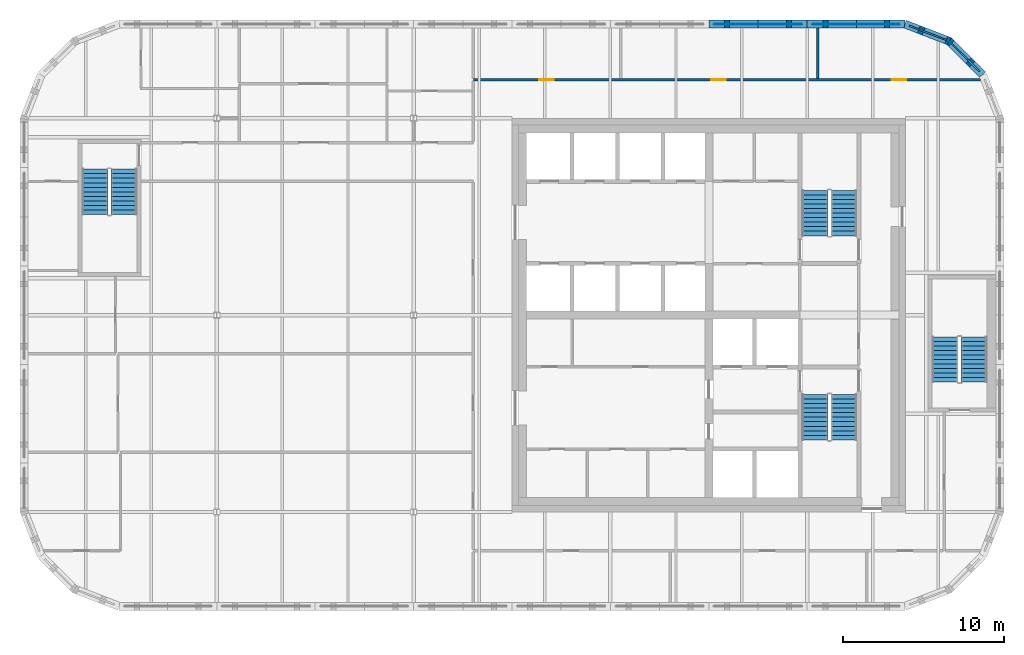
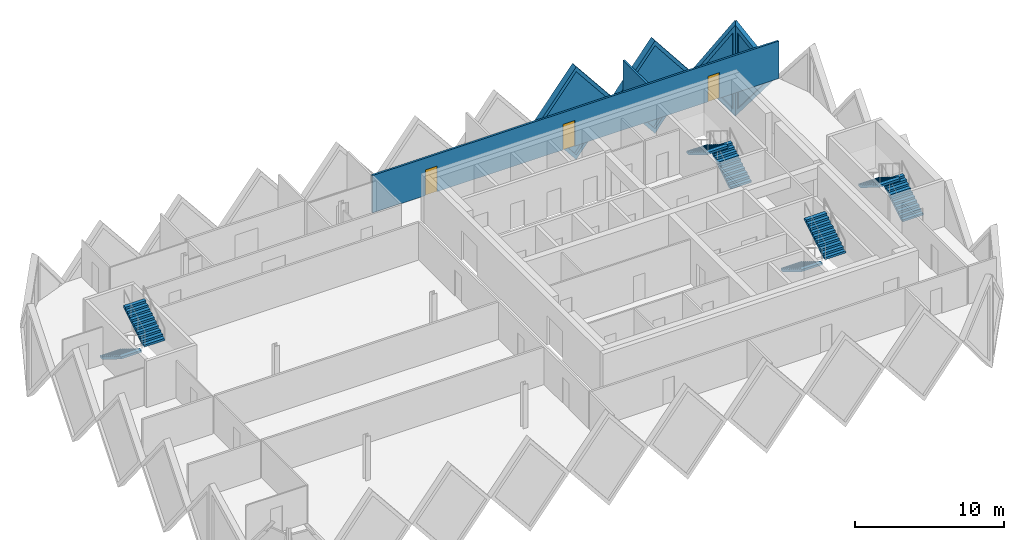
# One storey, part 10 of 11: 8 stair flights, 6 walls, 4 plates, 3 doors, 7 openings, 4 elements without a shape of their own.
"""IFC4 building model written with IfcOpenShell, lengths in metres."""

from ifc_helpers import new_model, si_unit, direction, frame, frame_2d, origin, place, context, subcontext, project, spatial, polyline, rectangle, outline, extrude, faceted_brep, source, transform, mapped, material, layer, layer_set, type_object, element, fill, aggregate, save


model = new_model("IFC4")

# Units and contexts
model_context = context("Model", 3, precision=1e-05, world=origin(), true_north=direction((0.0, 1.0)))
body_context = subcontext(model_context, "Body", "Model", "MODEL_VIEW")
ifc_project = project(units=[si_unit("LENGTHUNIT", "METRE"), si_unit("AREAUNIT", "SQUARE_METRE"), si_unit("VOLUMEUNIT", "CUBIC_METRE"), si_unit("PLANEANGLEUNIT", "RADIAN"), si_unit("MASSUNIT", "GRAM", prefix="KILO")], contexts=[model_context])

# Site, building, storey
site_placement = place(None, origin())
site = spatial("IfcSite", under=ifc_project, at=site_placement, CompositionType="ELEMENT")
building_placement = place(site_placement, origin())
building = spatial("IfcBuilding", under=site, at=building_placement, Name="Tessera Gate Towers", CompositionType="ELEMENT")
storey_placement = place(building_placement, frame((0.0, 0.0, 240.699951171875)))
storey = spatial("IfcBuildingStorey", under=building, at=storey_placement, Name="L60", CompositionType="ELEMENT", Elevation=240.699951171875)

# Wall, openings, doors
ifc_material_1 = material(Name="Gypsum board on steel studs, mineral wool", Category="steel")
ifc_layer_1 = layer(ifc_material_1, 0.14990234375)
ifc_layer_set_1 = layer_set([ifc_layer_1], Name="CORRIDOR WALL 150")
wall_type_1 = type_object("IfcWallType", Name="CORRIDOR WALL 150", PredefinedType="PARTITIONING", material=ifc_layer_set_1)
wall_1_placement = place(storey_placement, frame((28.10009765625, 51.199951171875, 0.0), z_axis=(0.0, 0.0, 1.0), x_axis=(1.0, 0.0, 0.0)))
wall_1 = element("IfcWall", 1, at=wall_1_placement, inside=storey, type_object=wall_type_1, Name="T1-L60-PW-033", PredefinedType="PARTITIONING", context=body_context, shape_type="SweptSolid", body=[
    extrude(rectangle(XDim=31.438232421875, YDim=0.14990234375, at=frame_2d((15.71923828125, 0.0))), origin(), (0.0, 0.0, 1.0), 3.067138671875),
])
shared_shape_1 = source(origin(), body_context, "Body", "SweptSolid", [
    extrude(rectangle(XDim=0.89990234375, YDim=2.10009765625, at=frame_2d((0.449951171875, 1.050048828125))), frame((0.0, 0.0849609375, 0.0), z_axis=(0.0, -1.0, 0.0), x_axis=(1.0, 0.0, 0.0)), (0.0, 0.0, 1.0), 0.169921875),
])
opening_1_placement = place(wall_1_placement, frame((4.10009765625, 0.0, 0.0)))
opening_1 = element("IfcOpeningElement", 2, at=opening_1_placement, cuts=wall_1, Name="Opening D890FD60-A21-07", PredefinedType="OPENING", context=body_context, shape_type="MappedRepresentation", body=[
    mapped(shared_shape_1, transform((0.0, 0.0, 0.0), scale=1.0)),
])
opening_2_placement = place(wall_1_placement, frame((25.950927734375, 0.0, 0.0)))
opening_2 = element("IfcOpeningElement", 3, at=opening_2_placement, cuts=wall_1, Name="Opening D890FD60-A21-08", PredefinedType="OPENING", context=body_context, shape_type="MappedRepresentation", body=[
    mapped(shared_shape_1, transform((0.0, 0.0, 0.0), scale=1.0)),
])
opening_3_placement = place(wall_1_placement, frame((14.75, 0.0, 0.0)))
opening_3 = element("IfcOpeningElement", 4, at=opening_3_placement, cuts=wall_1, Name="Opening D890FD60-A21-11", PredefinedType="OPENING", context=body_context, shape_type="MappedRepresentation", body=[
    mapped(shared_shape_1, transform((0.0, 0.0, 0.0), scale=1.0)),
])
ifc_material_2 = material(Name="Timber door leaf in steel frame", Category="steel")
door_type = type_object("IfcDoorType", Name="CORRIDOR DOOR 900 FD60", OperationType="NOTDEFINED", PredefinedType="DOOR", material=ifc_material_2)
shared_shape_2 = source(origin(), body_context, "Body", "SweptSolid", [
    extrude(rectangle(XDim=0.89990234375, YDim=2.10009765625, at=frame_2d((0.449951171875, 1.050048828125))), frame((0.0, 0.02490234375, 0.0), z_axis=(0.0, -1.0, 0.0), x_axis=(1.0, 0.0, 0.0)), (0.0, 0.0, 1.0), 0.050048828125),
])
door_1_placement = place(opening_1_placement, origin())
door_1 = element("IfcDoor", 5, at=door_1_placement, inside=storey, type_object=door_type, Name="T1-L60-PD-011", OperationType="SINGLE_SWING_LEFT", OverallHeight=2.10009765625, OverallWidth=0.89990234375, PredefinedType="DOOR", context=body_context, shape_type="MappedRepresentation", body=[
    mapped(shared_shape_2, transform((0.0, 0.0, 0.0), scale=1.0)),
])
fill(opening_1, door_1)
door_2_placement = place(opening_2_placement, origin())
door_2 = element("IfcDoor", 6, at=door_2_placement, inside=storey, type_object=door_type, Name="T1-L60-PD-015", OperationType="SINGLE_SWING_LEFT", OverallHeight=2.10009765625, OverallWidth=0.89990234375, PredefinedType="DOOR", context=body_context, shape_type="MappedRepresentation", body=[
    mapped(shared_shape_2, transform((0.0, 0.0, 0.0), scale=1.0)),
])
fill(opening_2, door_2)
door_3_placement = place(opening_3_placement, origin())
door_3 = element("IfcDoor", 7, at=door_3_placement, inside=storey, type_object=door_type, Name="T1-L60-PD-019", OperationType="SINGLE_SWING_LEFT", OverallHeight=2.10009765625, OverallWidth=0.89990234375, PredefinedType="DOOR", context=body_context, shape_type="MappedRepresentation", body=[
    mapped(shared_shape_2, transform((0.0, 0.0, 0.0), scale=1.0)),
])
fill(opening_3, door_3)

# Wall
ifc_material_3 = material(Name="Gypsum board on steel studs, mineral wool", Category="steel")
ifc_layer_2 = layer(ifc_material_3, 0.14990234375)
ifc_layer_set_2 = layer_set([ifc_layer_2], Name="TENANCY WALL 150")
wall_type_2 = type_object("IfcWallType", Name="TENANCY WALL 150", PredefinedType="PARTITIONING", material=ifc_layer_set_2)
wall_2_placement = place(storey_placement, frame((49.449951171875, 51.27587890625, 0.0), z_axis=(0.0, 0.0, 1.0), x_axis=(0.0, 1.0, 0.0)))
element("IfcWall", 8, at=wall_2_placement, inside=storey, type_object=wall_type_2, Name="T1-L60-PW-036", PredefinedType="PARTITIONING", context=body_context, shape_type="SweptSolid", body=[
    extrude(rectangle(XDim=3.1240234375, YDim=0.14990234375, at=frame_2d((1.56201171875, 0.0))), origin(), (0.0, 0.0, 1.0), 3.067138671875),
])

# Wall, opening, plate
ifc_material_4 = material(Name="Precast concrete C60/75 white", Category="concrete")
ifc_layer_3 = layer(ifc_material_4, 0.5)
ifc_layer_set_3 = layer_set([ifc_layer_3], Name="TS1 tessera")
wall_type_3 = type_object("IfcWallType", Name="TS1 tessera", PredefinedType="SOLIDWALL", material=ifc_layer_set_3)
shared_shape_3 = source(origin(), body_context, "Body", "Brep", [
    faceted_brep([(3.00341796875, -0.25, 0.0), (6.053466796875, -0.25, 3.800048828125), (3.00341796875, -0.25, 7.60009765625), (0.0, -0.25, 3.800048828125), (0.046630859375, 0.25, 3.85888671875), (3.00341796875, 0.25, 7.60009765625), (6.053466796875, 0.25, 3.800048828125), (3.00341796875, 0.25, 0.0), (0.046630859375, 0.25, 3.7412109375), (0.0, 0.0, 3.800048828125)], [[[0, 1, 2, 3]], [[4, 5, 6, 7, 8]], [[7, 6, 1, 0]], [[6, 5, 2, 1]], [[5, 4, 9, 3, 2]], [[8, 7, 0, 3, 9]], [[8, 9, 4]]]),
])
wall_3_placement = place(storey_placement, frame((54.853515625, 54.64990234375, -3.800048828125), z_axis=(0.0, 0.0, 1.0), x_axis=(-1.0, 0.0, 0.0)))
wall_3 = element("IfcWall", 9, at=wall_3_placement, inside=storey, type_object=wall_type_3, Name="Precast tessera T1 TS1-1046", PredefinedType="SOLIDWALL", context=body_context, shape_type="MappedRepresentation", body=[
    mapped(shared_shape_3, transform((0.0, 0.0, 0.0), scale=1.0)),
])
shared_shape_4 = source(origin(), body_context, "Body", "SweptSolid", [
    extrude(outline(polyline([(3.0048828125, 0.4013671875), (5.73291015625, 3.800048828125), (3.0048828125, 7.19873046875), (0.318603515625, 3.800048828125), (3.0048828125, 0.4013671875)])), frame((0.0, 0.260009765625, 0.0), z_axis=(0.0, -1.0, 0.0), x_axis=(1.0, 0.0, 0.0)), (0.0, 0.0, 1.0), 0.52001953125),
])
opening_4_placement = place(wall_3_placement, origin())
opening_4 = element("IfcOpeningElement", 10, at=opening_4_placement, cuts=wall_3, Name="Opening T1-PL2-2138", PredefinedType="OPENING", context=body_context, shape_type="MappedRepresentation", body=[
    mapped(shared_shape_4, transform((0.0, 0.0, 0.0), scale=1.0)),
])
ifc_material_5 = material(Name="Low-e laminated glass", Category="glass")
ifc_layer_4 = layer(ifc_material_5, 0.06005859375)
ifc_layer_set_4 = layer_set([ifc_layer_4], Name="PL2 rhombic pane")
plate_type = type_object("IfcPlateType", Name="PL2 rhombic pane", PredefinedType="SHEET", material=ifc_layer_set_4)
shared_shape_5 = source(origin(), body_context, "Body", "SweptSolid", [
    extrude(outline(polyline([(3.0048828125, 0.4013671875), (5.73291015625, 3.800048828125), (3.0048828125, 7.19873046875), (0.318603515625, 3.800048828125), (3.0048828125, 0.4013671875)])), frame((0.0, 0.030029296875, 0.0), z_axis=(0.0, -1.0, 0.0), x_axis=(1.0, 0.0, 0.0)), (0.0, 0.0, 1.0), 0.06005859375),
])
plate_1_placement = place(opening_4_placement, origin())
plate_1 = element("IfcPlate", 11, at=plate_1_placement, inside=storey, type_object=plate_type, Name="Glass pane T1 PL2-2138", PredefinedType="SHEET", context=body_context, shape_type="MappedRepresentation", body=[
    mapped(shared_shape_5, transform((0.0, 0.0, 0.0), scale=1.0)),
])
fill(opening_4, plate_1)

shared_shape_6 = source(origin(), body_context, "Body", "SweptSolid", [
    extrude(outline(polyline([(3.050048828125, 0.0), (6.10009765625, 3.800048828125), (3.050048828125, 7.60009765625), (0.0, 3.800048828125), (3.050048828125, 0.0)])), frame((0.0, 0.25, 0.0), z_axis=(0.0, -1.0, 0.0), x_axis=(1.0, 0.0, 0.0)), (0.0, 0.0, 1.0), 0.5),
])
wall_4_placement = place(storey_placement, frame((48.800048828125, 54.64990234375, -3.800048828125), z_axis=(0.0, 0.0, 1.0), x_axis=(-1.0, 0.0, 0.0)))
wall_4 = element("IfcWall", 12, at=wall_4_placement, inside=storey, type_object=wall_type_3, Name="Precast tessera T1 TS1-1047", PredefinedType="SOLIDWALL", context=body_context, shape_type="MappedRepresentation", body=[
    mapped(shared_shape_6, transform((0.0, 0.0, 0.0), scale=1.0)),
])
shared_shape_7 = source(origin(), body_context, "Body", "SweptSolid", [
    extrude(outline(polyline([(3.050048828125, 0.3994140625), (5.779541015625, 3.800048828125), (3.050048828125, 7.20068359375), (0.320556640625, 3.800048828125), (3.050048828125, 0.3994140625)])), frame((0.0, 0.260009765625, 0.0), z_axis=(0.0, -1.0, 0.0), x_axis=(1.0, 0.0, 0.0)), (0.0, 0.0, 1.0), 0.52001953125),
])
opening_5_placement = place(wall_4_placement, origin())
opening_5 = element("IfcOpeningElement", 13, at=opening_5_placement, cuts=wall_4, Name="Opening T1-PL2-2139", PredefinedType="OPENING", context=body_context, shape_type="MappedRepresentation", body=[
    mapped(shared_shape_7, transform((0.0, 0.0, 0.0), scale=1.0)),
])
shared_shape_8 = source(origin(), body_context, "Body", "SweptSolid", [
    extrude(outline(polyline([(3.050048828125, 0.3994140625), (5.779541015625, 3.800048828125), (3.050048828125, 7.20068359375), (0.320556640625, 3.800048828125), (3.050048828125, 0.3994140625)])), frame((0.0, 0.030029296875, 0.0), z_axis=(0.0, -1.0, 0.0), x_axis=(1.0, 0.0, 0.0)), (0.0, 0.0, 1.0), 0.06005859375),
])
plate_2_placement = place(opening_5_placement, origin())
plate_2 = element("IfcPlate", 14, at=plate_2_placement, inside=storey, type_object=plate_type, Name="Glass pane T1 PL2-2139", PredefinedType="SHEET", context=body_context, shape_type="MappedRepresentation", body=[
    mapped(shared_shape_8, transform((0.0, 0.0, 0.0), scale=1.0)),
])
fill(opening_5, plate_2)

ifc_material_6 = material(Name="Precast concrete C60/75 white", Category="concrete")
ifc_layer_5 = layer(ifc_material_6, 0.5)
ifc_layer_set_5 = layer_set([ifc_layer_5], Name="TS3 corner tessera")
wall_type_4 = type_object("IfcWallType", Name="TS3 corner tessera", PredefinedType="SOLIDWALL", material=ifc_layer_set_5)
shared_shape_9 = source(origin(), body_context, "Body", "Brep", [
    faceted_brep([(2.944091796875, -0.25, 0.0), (2.9970703125, -0.25, 0.068115234375), (2.9970703125, -0.25, 7.531982421875), (2.944091796875, -0.25, 7.60009765625), (0.0, -0.25, 3.800048828125), (0.052978515625, 0.25, 3.868408203125), (2.89111328125, 0.25, 7.531982421875), (2.89111328125, 0.25, 0.068115234375), (0.052978515625, 0.25, 3.731689453125), (2.944091796875, 0.000244140625, 0.0), (2.944091796875, 0.000244140625, 7.60009765625), (0.0, 0.0, 3.800048828125)], [[[0, 1, 2, 3, 4]], [[5, 6, 7, 8]], [[1, 0, 9]], [[10, 3, 2]], [[6, 5, 11, 4, 3, 10]], [[8, 7, 9, 0, 4, 11]], [[8, 11, 5]], [[1, 9, 7, 6, 10, 2]]]),
])
wall_5_placement = place(storey_placement, frame((59.68798828125, 51.50634765625, -3.800048828125), z_axis=(0.0, 0.0, 1.0), x_axis=(-0.707106781187, 0.707106781187, 0.0)))
wall_5 = element("IfcWall", 15, at=wall_5_placement, inside=storey, type_object=wall_type_4, Name="Precast corner tessera T1 TS3-1391", PredefinedType="SOLIDWALL", context=body_context, shape_type="MappedRepresentation", body=[
    mapped(shared_shape_9, transform((0.0, 0.0, 0.0), scale=1.0)),
])
shared_shape_10 = source(origin(), body_context, "Body", "SweptSolid", [
    extrude(outline(polyline([(2.744140625, 6.933837890625), (0.316162109375, 3.800048828125), (2.744140625, 0.66650390625), (2.744140625, 6.933837890625)])), frame((0.0, 0.260009765625, 0.0), z_axis=(0.0, -1.0, 0.0), x_axis=(1.0, 0.0, 0.0)), (0.0, 0.0, 1.0), 0.52001953125),
])
opening_6_placement = place(wall_5_placement, origin())
opening_6 = element("IfcOpeningElement", 16, at=opening_6_placement, cuts=wall_5, Name="Opening T1-PL2-2136", PredefinedType="OPENING", context=body_context, shape_type="MappedRepresentation", body=[
    mapped(shared_shape_10, transform((0.0, 0.0, 0.0), scale=1.0)),
])
shared_shape_11 = source(origin(), body_context, "Body", "SweptSolid", [
    extrude(outline(polyline([(2.744140625, 6.933837890625), (0.316162109375, 3.800048828125), (2.744140625, 0.66650390625), (2.744140625, 6.933837890625)])), frame((0.0, 0.030029296875, 0.0), z_axis=(0.0, -1.0, 0.0), x_axis=(1.0, 0.0, 0.0)), (0.0, 0.0, 1.0), 0.06005859375),
])
plate_3_placement = place(opening_6_placement, origin())
plate_3 = element("IfcPlate", 17, at=plate_3_placement, inside=storey, type_object=plate_type, Name="Glass pane T1 PL2-2136", PredefinedType="SHEET", context=body_context, shape_type="MappedRepresentation", body=[
    mapped(shared_shape_11, transform((0.0, 0.0, 0.0), scale=1.0)),
])
fill(opening_6, plate_3)

shared_shape_12 = source(origin(), body_context, "Body", "Brep", [
    faceted_brep([(0.052978515625, -0.25, 0.0), (3.00341796875, -0.25, 3.800048828125), (0.052978515625, -0.25, 7.60009765625), (0.0, -0.25, 7.53173828125), (0.0, -0.25, 0.068359375), (0.10595703125, 0.25, 7.531982421875), (2.95703125, 0.25, 3.85986328125), (2.95703125, 0.25, 3.740234375), (0.10595703125, 0.25, 0.068115234375), (3.00341796875, 0.00048828125, 3.800048828125), (0.052978515625, 0.0, 0.0), (0.052978515625, 0.0, 7.60009765625)], [[[0, 1, 2, 3, 4]], [[5, 6, 7, 8]], [[8, 7, 9, 1, 0, 10]], [[6, 5, 11, 2, 1, 9]], [[3, 2, 11]], [[10, 0, 4]], [[8, 10, 4, 3, 11, 5]], [[9, 7, 6]]]),
])
wall_6_placement = place(storey_placement, frame((57.65576171875, 53.569091796875, -3.800048828125), z_axis=(0.0, 0.0, 1.0), x_axis=(-0.933007896601, 0.359855894603, 0.0)))
wall_6 = element("IfcWall", 18, at=wall_6_placement, inside=storey, type_object=wall_type_4, Name="Precast corner tessera T1 TS3-1392", PredefinedType="SOLIDWALL", context=body_context, shape_type="MappedRepresentation", body=[
    mapped(shared_shape_12, transform((0.0, 0.0, 0.0), scale=1.0)),
])
shared_shape_13 = source(origin(), body_context, "Body", "SweptSolid", [
    extrude(outline(polyline([(0.2529296875, 0.665283203125), (2.68701171875, 3.800048828125), (0.2529296875, 6.934814453125), (0.2529296875, 0.665283203125)])), frame((0.0, 0.260009765625, 0.0), z_axis=(0.0, -1.0, 0.0), x_axis=(1.0, 0.0, 0.0)), (0.0, 0.0, 1.0), 0.52001953125),
])
opening_7_placement = place(wall_6_placement, origin())
opening_7 = element("IfcOpeningElement", 19, at=opening_7_placement, cuts=wall_6, Name="Opening T1-PL2-2137", PredefinedType="OPENING", context=body_context, shape_type="MappedRepresentation", body=[
    mapped(shared_shape_13, transform((0.0, 0.0, 0.0), scale=1.0)),
])
shared_shape_14 = source(origin(), body_context, "Body", "SweptSolid", [
    extrude(outline(polyline([(0.2529296875, 0.665283203125), (2.68701171875, 3.800048828125), (0.2529296875, 6.934814453125), (0.2529296875, 0.665283203125)])), frame((0.0, 0.030029296875, 0.0), z_axis=(0.0, -1.0, 0.0), x_axis=(1.0, 0.0, 0.0)), (0.0, 0.0, 1.0), 0.06005859375),
])
plate_4_placement = place(opening_7_placement, origin())
plate_4 = element("IfcPlate", 20, at=plate_4_placement, inside=storey, type_object=plate_type, Name="Glass pane T1 PL2-2137", PredefinedType="SHEET", context=body_context, shape_type="MappedRepresentation", body=[
    mapped(shared_shape_14, transform((0.0, 0.0, 0.0), scale=1.0)),
])
fill(opening_7, plate_4)

# Stair, stair flights
ifc_material_7 = material(Name="Concrete C40/50", Category="concrete")
stair_type_1 = type_object("IfcStairType", Name="EXIT STAIR ST1 1600", PredefinedType="HALF_TURN_STAIR", material=ifc_material_7)
stair_1_placement = place(storey_placement, origin())
stair_1 = element("IfcStair", 21, at=stair_1_placement, inside=storey, type_object=stair_type_1, Name="L60 Protected Exit Stair ST1", PredefinedType="HALF_TURN_STAIR")
ifc_material_8 = material(Name="Concrete C40/50", Category="concrete")
stair_flight_type_1 = type_object("IfcStairFlightType", Name="EXIT STAIR FLIGHT ST1 1600", PredefinedType="STRAIGHT", material=ifc_material_8)
stair_flight_1_placement = place(storey_placement, frame((49.27490234375, 31.675048828125, 0.0), z_axis=(0.0, 0.0, 1.0), x_axis=(0.0, -1.0, 0.0)))
stair_flight_1 = element("IfcStairFlight", 22, at=stair_flight_1_placement, type_object=stair_flight_type_1, Name="ST1 flight 1", NumberOfRisers=11, NumberOfTreads=10, PredefinedType="STRAIGHT", RiserHeight=0.172727273, TreadLength=0.28, context=body_context, shape_type="SweptSolid", body=[
    extrude(outline(polyline([(0.0, 0.0), (0.0, 0.172607421875), (0.280029296875, 0.172607421875), (0.280029296875, 0.345458984375), (0.56005859375, 0.345458984375), (0.56005859375, 0.51806640625), (0.840087890625, 0.51806640625), (0.840087890625, 0.69091796875), (1.1201171875, 0.69091796875), (1.1201171875, 0.863525390625), (1.39990234375, 0.863525390625), (1.39990234375, 1.036376953125), (1.679931640625, 1.036376953125), (1.679931640625, 1.208984375), (1.9599609375, 1.208984375), (1.9599609375, 1.3818359375), (2.239990234375, 1.3818359375), (2.239990234375, 1.554443359375), (2.52001953125, 1.554443359375), (2.52001953125, 1.727294921875), (2.800048828125, 1.727294921875), (2.800048828125, 1.89990234375), (2.800048828125, 1.551025390625), (0.285400390625, 0.0), (0.0, 0.0)])), frame((0.0, 0.800048828125, 0.0), z_axis=(0.0, -1.0, 0.0), x_axis=(1.0, 0.0, 0.0)), (0.0, 0.0, 1.0), 1.60009765625),
])
stair_flight_2_placement = place(storey_placement, frame((51.074951171875, 28.875, 1.900146484375), z_axis=(0.0, 0.0, 1.0), x_axis=(0.0, 1.0, 0.0)))
stair_flight_2 = element("IfcStairFlight", 23, at=stair_flight_2_placement, type_object=stair_flight_type_1, Name="ST1 flight 2", NumberOfRisers=11, NumberOfTreads=10, PredefinedType="STRAIGHT", RiserHeight=0.172727273, TreadLength=0.28, context=body_context, shape_type="SweptSolid", body=[
    extrude(outline(polyline([(0.0, 0.0), (0.0, 0.172607421875), (0.280029296875, 0.172607421875), (0.280029296875, 0.345458984375), (0.56005859375, 0.345458984375), (0.56005859375, 0.51806640625), (0.840087890625, 0.51806640625), (0.840087890625, 0.69091796875), (1.1201171875, 0.69091796875), (1.1201171875, 0.863525390625), (1.39990234375, 0.863525390625), (1.39990234375, 1.036376953125), (1.679931640625, 1.036376953125), (1.679931640625, 1.208984375), (1.9599609375, 1.208984375), (1.9599609375, 1.3818359375), (2.239990234375, 1.3818359375), (2.239990234375, 1.554443359375), (2.52001953125, 1.554443359375), (2.52001953125, 1.727294921875), (2.800048828125, 1.727294921875), (2.800048828125, 1.89990234375), (2.800048828125, 1.551025390625), (0.285400390625, 0.0), (0.0, 0.0)])), frame((0.0, 0.800048828125, 0.0), z_axis=(0.0, -1.0, 0.0), x_axis=(1.0, 0.0, 0.0)), (0.0, 0.0, 1.0), 1.60009765625),
])
aggregate(stair_1, [stair_flight_1, stair_flight_2])

ifc_material_9 = material(Name="Concrete C40/50", Category="concrete")
stair_type_2 = type_object("IfcStairType", Name="EXIT STAIR ST2 1600", PredefinedType="HALF_TURN_STAIR", material=ifc_material_9)
stair_2_placement = place(storey_placement, origin())
stair_2 = element("IfcStair", 24, at=stair_2_placement, inside=storey, type_object=stair_type_2, Name="L60 Protected Exit Stair ST2", PredefinedType="HALF_TURN_STAIR")
ifc_material_10 = material(Name="Concrete C40/50", Category="concrete")
stair_flight_type_2 = type_object("IfcStairFlightType", Name="EXIT STAIR FLIGHT ST2 1600", PredefinedType="STRAIGHT", material=ifc_material_10)
stair_flight_3_placement = place(storey_placement, frame((51.074951171875, 41.52490234375, 0.0), z_axis=(0.0, 0.0, 1.0), x_axis=(0.0, 1.0, 0.0)))
stair_flight_3 = element("IfcStairFlight", 25, at=stair_flight_3_placement, type_object=stair_flight_type_2, Name="ST2 flight 1", NumberOfRisers=11, NumberOfTreads=10, PredefinedType="STRAIGHT", RiserHeight=0.172727273, TreadLength=0.28, context=body_context, shape_type="SweptSolid", body=[
    extrude(outline(polyline([(0.0, 0.0), (0.0, 0.172607421875), (0.280029296875, 0.172607421875), (0.280029296875, 0.345458984375), (0.56005859375, 0.345458984375), (0.56005859375, 0.51806640625), (0.840087890625, 0.51806640625), (0.840087890625, 0.69091796875), (1.1201171875, 0.69091796875), (1.1201171875, 0.863525390625), (1.39990234375, 0.863525390625), (1.39990234375, 1.036376953125), (1.679931640625, 1.036376953125), (1.679931640625, 1.208984375), (1.9599609375, 1.208984375), (1.9599609375, 1.3818359375), (2.239990234375, 1.3818359375), (2.239990234375, 1.554443359375), (2.52001953125, 1.554443359375), (2.52001953125, 1.727294921875), (2.800048828125, 1.727294921875), (2.800048828125, 1.89990234375), (2.800048828125, 1.551025390625), (0.285400390625, 0.0), (0.0, 0.0)])), frame((0.0, 0.800048828125, 0.0), z_axis=(0.0, -1.0, 0.0), x_axis=(1.0, 0.0, 0.0)), (0.0, 0.0, 1.0), 1.60009765625),
])
stair_flight_4_placement = place(storey_placement, frame((49.27490234375, 44.324951171875, 1.900146484375), z_axis=(0.0, 0.0, 1.0), x_axis=(0.0, -1.0, 0.0)))
stair_flight_4 = element("IfcStairFlight", 26, at=stair_flight_4_placement, type_object=stair_flight_type_2, Name="ST2 flight 2", NumberOfRisers=11, NumberOfTreads=10, PredefinedType="STRAIGHT", RiserHeight=0.172727273, TreadLength=0.28, context=body_context, shape_type="SweptSolid", body=[
    extrude(outline(polyline([(0.0, 0.0), (0.0, 0.172607421875), (0.280029296875, 0.172607421875), (0.280029296875, 0.345458984375), (0.56005859375, 0.345458984375), (0.56005859375, 0.51806640625), (0.840087890625, 0.51806640625), (0.840087890625, 0.69091796875), (1.1201171875, 0.69091796875), (1.1201171875, 0.863525390625), (1.39990234375, 0.863525390625), (1.39990234375, 1.036376953125), (1.679931640625, 1.036376953125), (1.679931640625, 1.208984375), (1.9599609375, 1.208984375), (1.9599609375, 1.3818359375), (2.239990234375, 1.3818359375), (2.239990234375, 1.554443359375), (2.52001953125, 1.554443359375), (2.52001953125, 1.727294921875), (2.800048828125, 1.727294921875), (2.800048828125, 1.89990234375), (2.800048828125, 1.551025390625), (0.285400390625, 0.0), (0.0, 0.0)])), frame((0.0, 0.800048828125, 0.0), z_axis=(0.0, -1.0, 0.0), x_axis=(1.0, 0.0, 0.0)), (0.0, 0.0, 1.0), 1.60009765625),
])
aggregate(stair_2, [stair_flight_3, stair_flight_4])

ifc_material_11 = material(Name="Concrete C40/50", Category="concrete")
stair_type_3 = type_object("IfcStairType", Name="EXIT STAIR ST3 1600", PredefinedType="HALF_TURN_STAIR", material=ifc_material_11)
stair_3_placement = place(storey_placement, origin())
stair_3 = element("IfcStair", 27, at=stair_3_placement, inside=storey, type_object=stair_type_3, Name="L60 West Exit Stair ST3", PredefinedType="HALF_TURN_STAIR")
ifc_material_12 = material(Name="Concrete C40/50", Category="concrete")
stair_flight_type_3 = type_object("IfcStairFlightType", Name="EXIT STAIR FLIGHT ST3 1600", PredefinedType="STRAIGHT", material=ifc_material_12)
stair_flight_5_placement = place(storey_placement, frame((4.64990234375, 45.64990234375, 0.0), z_axis=(0.0, 0.0, 1.0), x_axis=(0.0, -1.0, 0.0)))
stair_flight_5 = element("IfcStairFlight", 28, at=stair_flight_5_placement, type_object=stair_flight_type_3, Name="ST3 flight 1", NumberOfRisers=11, NumberOfTreads=10, PredefinedType="STRAIGHT", RiserHeight=0.172727273, TreadLength=0.28, context=body_context, shape_type="SweptSolid", body=[
    extrude(outline(polyline([(0.0, 0.0), (0.0, 0.172607421875), (0.280029296875, 0.172607421875), (0.280029296875, 0.345458984375), (0.56005859375, 0.345458984375), (0.56005859375, 0.51806640625), (0.840087890625, 0.51806640625), (0.840087890625, 0.69091796875), (1.1201171875, 0.69091796875), (1.1201171875, 0.863525390625), (1.39990234375, 0.863525390625), (1.39990234375, 1.036376953125), (1.679931640625, 1.036376953125), (1.679931640625, 1.208984375), (1.9599609375, 1.208984375), (1.9599609375, 1.3818359375), (2.239990234375, 1.3818359375), (2.239990234375, 1.554443359375), (2.52001953125, 1.554443359375), (2.52001953125, 1.727294921875), (2.800048828125, 1.727294921875), (2.800048828125, 1.89990234375), (2.800048828125, 1.551025390625), (0.285400390625, 0.0), (0.0, 0.0)])), frame((0.0, 0.800048828125, 0.0), z_axis=(0.0, -1.0, 0.0), x_axis=(1.0, 0.0, 0.0)), (0.0, 0.0, 1.0), 1.60009765625),
])
stair_flight_6_placement = place(storey_placement, frame((6.449951171875, 42.85009765625, 1.900146484375), z_axis=(0.0, 0.0, 1.0), x_axis=(0.0, 1.0, 0.0)))
stair_flight_6 = element("IfcStairFlight", 29, at=stair_flight_6_placement, type_object=stair_flight_type_3, Name="ST3 flight 2", NumberOfRisers=11, NumberOfTreads=10, PredefinedType="STRAIGHT", RiserHeight=0.172727273, TreadLength=0.28, context=body_context, shape_type="SweptSolid", body=[
    extrude(outline(polyline([(0.0, 0.0), (0.0, 0.172607421875), (0.280029296875, 0.172607421875), (0.280029296875, 0.345458984375), (0.56005859375, 0.345458984375), (0.56005859375, 0.51806640625), (0.840087890625, 0.51806640625), (0.840087890625, 0.69091796875), (1.1201171875, 0.69091796875), (1.1201171875, 0.863525390625), (1.39990234375, 0.863525390625), (1.39990234375, 1.036376953125), (1.679931640625, 1.036376953125), (1.679931640625, 1.208984375), (1.9599609375, 1.208984375), (1.9599609375, 1.3818359375), (2.239990234375, 1.3818359375), (2.239990234375, 1.554443359375), (2.52001953125, 1.554443359375), (2.52001953125, 1.727294921875), (2.800048828125, 1.727294921875), (2.800048828125, 1.89990234375), (2.800048828125, 1.551025390625), (0.285400390625, 0.0), (0.0, 0.0)])), frame((0.0, 0.800048828125, 0.0), z_axis=(0.0, -1.0, 0.0), x_axis=(1.0, 0.0, 0.0)), (0.0, 0.0, 1.0), 1.60009765625),
])
aggregate(stair_3, [stair_flight_5, stair_flight_6])

ifc_material_13 = material(Name="Concrete C40/50", Category="concrete")
stair_type_4 = type_object("IfcStairType", Name="EXIT STAIR ST5 1600", PredefinedType="HALF_TURN_STAIR", material=ifc_material_13)
stair_4_placement = place(storey_placement, origin())
stair_4 = element("IfcStair", 30, at=stair_4_placement, inside=storey, type_object=stair_type_4, Name="L60 East Exit Stair ST5", PredefinedType="HALF_TURN_STAIR")
ifc_material_14 = material(Name="Concrete C40/50", Category="concrete")
stair_flight_type_4 = type_object("IfcStairFlightType", Name="EXIT STAIR FLIGHT ST5 1600", PredefinedType="STRAIGHT", material=ifc_material_14)
stair_flight_7_placement = place(storey_placement, frame((59.14990234375, 32.449951171875, 0.0), z_axis=(0.0, 0.0, 1.0), x_axis=(0.0, 1.0, 0.0)))
stair_flight_7 = element("IfcStairFlight", 31, at=stair_flight_7_placement, type_object=stair_flight_type_4, Name="ST5 flight 1", NumberOfRisers=11, NumberOfTreads=10, PredefinedType="STRAIGHT", RiserHeight=0.172727273, TreadLength=0.28, context=body_context, shape_type="SweptSolid", body=[
    extrude(outline(polyline([(0.0, 0.0), (0.0, 0.172607421875), (0.280029296875, 0.172607421875), (0.280029296875, 0.345458984375), (0.56005859375, 0.345458984375), (0.56005859375, 0.51806640625), (0.840087890625, 0.51806640625), (0.840087890625, 0.69091796875), (1.1201171875, 0.69091796875), (1.1201171875, 0.863525390625), (1.39990234375, 0.863525390625), (1.39990234375, 1.036376953125), (1.679931640625, 1.036376953125), (1.679931640625, 1.208984375), (1.9599609375, 1.208984375), (1.9599609375, 1.3818359375), (2.239990234375, 1.3818359375), (2.239990234375, 1.554443359375), (2.52001953125, 1.554443359375), (2.52001953125, 1.727294921875), (2.800048828125, 1.727294921875), (2.800048828125, 1.89990234375), (2.800048828125, 1.551025390625), (0.285400390625, 0.0), (0.0, 0.0)])), frame((0.0, 0.800048828125, 0.0), z_axis=(0.0, -1.0, 0.0), x_axis=(1.0, 0.0, 0.0)), (0.0, 0.0, 1.0), 1.60009765625),
])
stair_flight_8_placement = place(storey_placement, frame((57.35009765625, 35.25, 1.900146484375), z_axis=(0.0, 0.0, 1.0), x_axis=(0.0, -1.0, 0.0)))
stair_flight_8 = element("IfcStairFlight", 32, at=stair_flight_8_placement, type_object=stair_flight_type_4, Name="ST5 flight 2", NumberOfRisers=11, NumberOfTreads=10, PredefinedType="STRAIGHT", RiserHeight=0.172727273, TreadLength=0.28, context=body_context, shape_type="SweptSolid", body=[
    extrude(outline(polyline([(0.0, 0.0), (0.0, 0.172607421875), (0.280029296875, 0.172607421875), (0.280029296875, 0.345458984375), (0.56005859375, 0.345458984375), (0.56005859375, 0.51806640625), (0.840087890625, 0.51806640625), (0.840087890625, 0.69091796875), (1.1201171875, 0.69091796875), (1.1201171875, 0.863525390625), (1.39990234375, 0.863525390625), (1.39990234375, 1.036376953125), (1.679931640625, 1.036376953125), (1.679931640625, 1.208984375), (1.9599609375, 1.208984375), (1.9599609375, 1.3818359375), (2.239990234375, 1.3818359375), (2.239990234375, 1.554443359375), (2.52001953125, 1.554443359375), (2.52001953125, 1.727294921875), (2.800048828125, 1.727294921875), (2.800048828125, 1.89990234375), (2.800048828125, 1.551025390625), (0.285400390625, 0.0), (0.0, 0.0)])), frame((0.0, 0.800048828125, 0.0), z_axis=(0.0, -1.0, 0.0), x_axis=(1.0, 0.0, 0.0)), (0.0, 0.0, 1.0), 1.60009765625),
])
aggregate(stair_4, [stair_flight_7, stair_flight_8])

save(model, "model.ifc")
